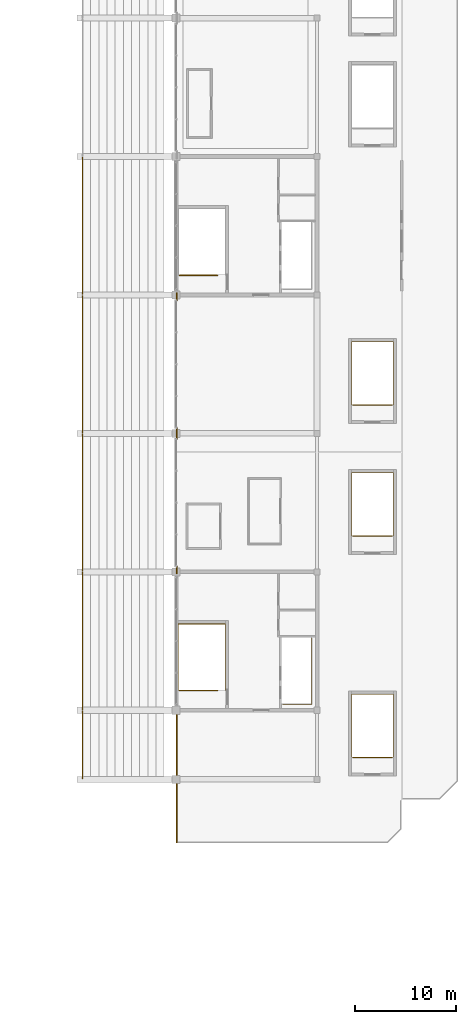
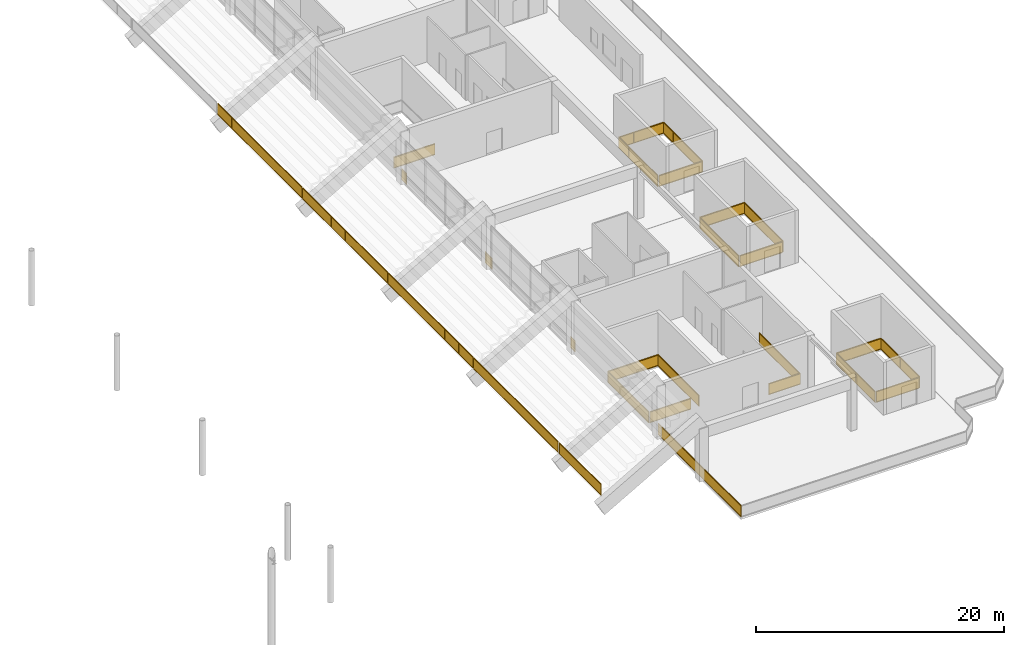
# One storey, part 83 of 90: 19 railings.
"""IFC4 building model written with IfcOpenShell, lengths in metres."""

import ifcopenshell
import ifcopenshell.guid

model = None  # the IFC model being written
_history = None  # IfcOwnerHistory: only IFC2X3 demands one
_inside = {}  # id of a spatial element -> (the spatial element, [elements in it])
_under = {}  # id of a project, library or spatial element -> (it, [spatial elements below it])
_declared = {}  # id of a project -> (the project, [libraries it declares])
_typed = {}  # id of a type object -> (the type object, [elements of that type])
_made_of = {}  # id of a material, layer set ... -> (it, [elements and type objects made of it])


def new_model(schema):
    """Start an empty IFC model of exactly this schema.

    Asked for "IFC4X3", IfcOpenShell would pick the latest addendum, in which some entities
    have other attributes; the version numbers below select the first issue.
    IFC2X3 requires an IfcOwnerHistory on every rooted entity: one is made here for all.
    """
    global model, _history
    if schema == "IFC4X3":
        model = ifcopenshell.file(schema_version=(4, 3, 0, 0))
    else:
        model = ifcopenshell.file(schema=schema)
    _inside.clear()
    _under.clear()
    _declared.clear()
    _typed.clear()
    _made_of.clear()
    _history = None
    if model.schema == "IFC2X3":
        org = make("IfcOrganization", Name="unknown")
        user = make(
            "IfcPersonAndOrganization",
            ThePerson=make("IfcPerson", FamilyName="unknown"),
            TheOrganization=org,
        )
        app = make(
            "IfcApplication",
            ApplicationDeveloper=org,
            Version="unknown",
            ApplicationFullName="unknown",
            ApplicationIdentifier="unknown",
        )
        _history = make(
            "IfcOwnerHistory",
            OwningUser=user,
            OwningApplication=app,
            ChangeAction="ADDED",
            CreationDate=0,
        )
    return model


def make(cls, **values):
    """One entity of the class cls with the attributes given. An attribute that is None is left unset."""
    return model.create_entity(
        cls, **{name: value for name, value in values.items() if value is not None}
    )


def rooted(cls, **values):
    """An entity with a GlobalId (a new one), such as an element, a storey or a relation."""
    return make(cls, GlobalId=ifcopenshell.guid.new(), OwnerHistory=_history, **values)


def si_unit(unit_type, name, prefix=None):
    """IfcSIUnit, for example si_unit("LENGTHUNIT", "METRE", prefix="MILLI")."""
    return make("IfcSIUnit", UnitType=unit_type, Prefix=prefix, Name=name)


def assignment(units):
    """IfcUnitAssignment: the units of a project."""
    return None if units is None else make("IfcUnitAssignment", Units=units)


def point(xyz):
    """IfcCartesianPoint."""
    return None if xyz is None else make("IfcCartesianPoint", Coordinates=xyz)


def direction(xyz):
    """IfcDirection."""
    return None if xyz is None else make("IfcDirection", DirectionRatios=xyz)


def frame(location, z_axis=None, x_axis=None):
    """IfcAxis2Placement3D, a coordinate frame: its origin and axes. An axis left out is left unset."""
    return make(
        "IfcAxis2Placement3D",
        Location=point(location),
        Axis=direction(z_axis),
        RefDirection=direction(x_axis),
    )


def frame_2d(location, x_axis=None):
    """IfcAxis2Placement2D, a coordinate frame in the plane: its origin and x axis."""
    return make(
        "IfcAxis2Placement2D", Location=point(location), RefDirection=direction(x_axis)
    )


def origin():
    """The frame at (0, 0, 0) with its axes left unset."""
    return frame((0.0, 0.0, 0.0))


def origin_2d():
    """The frame at (0, 0) in the plane with its x axis left unset."""
    return frame_2d((0.0, 0.0))


def place(relative_to, where):
    """IfcLocalPlacement: puts the frame where relative to a parent placement (None: the world)."""
    return make(
        "IfcLocalPlacement", PlacementRelTo=relative_to, RelativePlacement=where
    )


def context(
    kind, dimensions, precision=None, world=None, true_north=None, identifier=None
):
    """IfcGeometricRepresentationContext, for example the 3D "Model" context."""
    return make(
        "IfcGeometricRepresentationContext",
        ContextIdentifier=identifier,
        ContextType=kind,
        CoordinateSpaceDimension=dimensions,
        Precision=precision,
        WorldCoordinateSystem=world,
        TrueNorth=true_north,
    )


def subcontext(parent, identifier, kind, view, scale=None):
    """IfcGeometricRepresentationSubContext, for example "Body" below "Model"."""
    return make(
        "IfcGeometricRepresentationSubContext",
        ContextIdentifier=identifier,
        ContextType=kind,
        ParentContext=parent,
        TargetScale=scale,
        TargetView=view,
    )


def project(units=None, contexts=None):
    """IfcProject with its units and contexts."""
    return rooted(
        "IfcProject",
        Name="project",
        RepresentationContexts=contexts,
        UnitsInContext=assignment(units),
    )


def spatial(cls, under=None, at=None, **own):
    """A site, building, storey or space (cls), placed at a placement, below another one or the project."""
    s = rooted(cls, ObjectPlacement=at, **own)
    if under is not None:
        _under.setdefault(under.id(), (under, []))[1].append(s)
    return s


def profile(cls, at=None, kind="AREA", **sizes):
    """A parametric profile (cls). Its sizes go by their IFC names, for example OverallWidth=200.0."""
    return make(cls, ProfileType=kind, Position=at, **sizes)


def rectangle(**sizes):
    """IfcRectangleProfileDef."""
    return profile("IfcRectangleProfileDef", **sizes)


def extrude(swept, where, along, depth):
    """IfcExtrudedAreaSolid: the profile swept, set in the frame where, extruded along a direction by depth."""
    return make(
        "IfcExtrudedAreaSolid",
        SweptArea=swept,
        Position=where,
        ExtrudedDirection=direction(along),
        Depth=depth,
    )


def shape(context_of_items, identifier, shape_type, items):
    """IfcShapeRepresentation: the items that make up one representation, for example the "Body"."""
    return make(
        "IfcShapeRepresentation",
        ContextOfItems=context_of_items,
        RepresentationIdentifier=identifier,
        RepresentationType=shape_type,
        Items=items,
    )


def material(Name=None, Category=None):
    """IfcMaterial."""
    return make("IfcMaterial", Name=Name, Category=Category)


def made_of(thing, what):
    """Note that an element or type object is made of a material, layer set ...; save() writes the relation."""
    if what is not None:
        _made_of.setdefault(what.id(), (what, []))[1].append(thing)
    return thing


def type_object(cls, material=None, **own):
    """A type object (cls), such as IfcWallType, which elements share."""
    return made_of(rooted(cls, **own), material)


def element(
    cls,
    number,
    at=None,
    inside=None,
    cuts=None,
    type_object=None,
    material=None,
    context=None,
    identifier="Body",
    shape_type=None,
    held_by="IfcProductDefinitionShape",
    body=None,
    shapes=None,
    **own,
):
    """One element of the class cls, such as IfcWall. Its Tag is "e" and its number.

    at: its placement. inside: the storey or other place that contains it. cuts: it is an
    opening in that element (IfcRelVoidsElement). A single representation is given by context,
    identifier, shape_type and body (its items); several are given by shapes. held_by: the class
    of the entity that holds the representations. save() writes the other relations.
    """
    e = rooted(cls, Tag="e%d" % number, ObjectPlacement=at, **own)
    if body is not None:
        shapes = [shape(context, identifier, shape_type, body)]
    if shapes is not None:
        e.Representation = make(held_by, Representations=shapes)
    if inside is not None:
        _inside.setdefault(inside.id(), (inside, []))[1].append(e)
    if cuts is not None:
        rooted(
            "IfcRelVoidsElement", RelatingBuildingElement=cuts, RelatedOpeningElement=e
        )
    if type_object is not None:
        _typed.setdefault(type_object.id(), (type_object, []))[1].append(e)
    return made_of(e, material)


def aggregate(whole, parts):
    """IfcRelAggregates: a whole, such as a stair, and the parts it consists of."""
    return rooted("IfcRelAggregates", RelatingObject=whole, RelatedObjects=parts)


def save(model, path):
    """Write the relations noted so far, then the file.

    IfcRelAggregates (storeys below a building ...), IfcRelContainedInSpatialStructure (elements
    in a storey), IfcRelDefinesByType, IfcRelAssociatesMaterial and IfcRelDeclares: one each for
    every whole, place, type object, material and project.
    """
    for whole, parts in _under.values():
        aggregate(whole, parts)
    for where, things in _inside.values():
        rooted(
            "IfcRelContainedInSpatialStructure",
            RelatedElements=things,
            RelatingStructure=where,
        )
    for kind, things in _typed.values():
        rooted("IfcRelDefinesByType", RelatedObjects=things, RelatingType=kind)
    for what, things in _made_of.values():
        rooted("IfcRelAssociatesMaterial", RelatedObjects=things, RelatingMaterial=what)
    for by, libraries in _declared.values():
        rooted("IfcRelDeclares", RelatingContext=by, RelatedDefinitions=libraries)
    model.write(path)


model = new_model("IFC4")

# Units and contexts
model_context = context("Model", 3, precision=1e-05, world=origin(), true_north=direction((0.0, 1.0)))
body_context = subcontext(model_context, "Body", "Model", "MODEL_VIEW")
ifc_project = project(units=[si_unit("LENGTHUNIT", "METRE"), si_unit("AREAUNIT", "SQUARE_METRE"), si_unit("VOLUMEUNIT", "CUBIC_METRE"), si_unit("PLANEANGLEUNIT", "RADIAN"), si_unit("MASSUNIT", "GRAM", prefix="KILO")], contexts=[model_context])

# Site, building, storey
site_placement = place(None, origin())
site = spatial("IfcSite", under=ifc_project, at=site_placement, CompositionType="ELEMENT")
building_placement = place(site_placement, origin())
building = spatial("IfcBuilding", under=site, at=building_placement, Name="Linyun Crest Stadium", CompositionType="ELEMENT")
storey_placement = place(building_placement, frame((0.0, 0.0, 21.0)))
storey = spatial("IfcBuildingStorey", under=building, at=storey_placement, Name="L05", CompositionType="ELEMENT", Elevation=21.0)

# Railings
ifc_material_1 = material(Name="Galvanized and powder-coated steel bowl safety barrier", Category="steel")
railing_type_1 = type_object("IfcRailingType", Name="GR02", PredefinedType="GUARDRAIL", material=ifc_material_1)
railing_1_placement = place(storey_placement, frame((60.699951171875, -45.919921875, 1.550048828125)))
element("IfcRailing", 1, at=railing_1_placement, inside=storey, type_object=railing_type_1, Name="Bowl front safety guard GR02 8", PredefinedType="GUARDRAIL", context=body_context, shape_type="SweptSolid", body=[
    extrude(rectangle(XDim=0.06005859375, YDim=0.06005859375, at=origin_2d()), frame((0.0, 0.0, 1.090087890625), z_axis=(0.0, 1.0, 0.0), x_axis=(-1.0, 0.0, 0.0)), (0.0, 0.0, 1.0), 6.71484375),
    extrude(rectangle(XDim=0.030029296875, YDim=1.0, at=origin_2d()), frame((0.0, 0.0, 0.56005859375), z_axis=(0.0, 1.0, 0.0), x_axis=(-1.0, 0.0, 0.0)), (0.0, 0.0, 1.0), 6.71484375),
    extrude(rectangle(XDim=0.06005859375, YDim=0.06005859375, at=origin_2d()), frame((0.0, 0.0, 0.030029296875), z_axis=(0.0, 1.0, 0.0), x_axis=(-1.0, 0.0, 0.0)), (0.0, 0.0, 1.0), 6.71484375),
    extrude(rectangle(XDim=0.050048828125, YDim=0.050048828125, at=origin_2d()), origin(), (0.0, 0.0, 1.0), 1.1201171875),
    extrude(rectangle(XDim=0.050048828125, YDim=0.050048828125, at=origin_2d()), frame((0.0, 2.23828125, 0.0)), (0.0, 0.0, 1.0), 1.1201171875),
    extrude(rectangle(XDim=0.050048828125, YDim=0.050048828125, at=origin_2d()), frame((0.0, 4.4765625, 0.0)), (0.0, 0.0, 1.0), 1.1201171875),
    extrude(rectangle(XDim=0.050048828125, YDim=0.050048828125, at=origin_2d()), frame((0.0, 6.71484375, 0.0)), (0.0, 0.0, 1.0), 1.1201171875),
])
for number, where, name in (
    (2, (60.699951171875, -39.044921875, 1.550048828125), "Bowl front safety guard GR02 16"),
    (3, (60.699951171875, -25.294921875, 1.550048828125), "Bowl front safety guard GR02 24"),
    (4, (60.699951171875, -11.544921875, 1.550048828125), "Bowl front safety guard GR02 32"),
    (5, (60.699951171875, 2.205078125, 1.550048828125), "Bowl front safety guard GR02 40"),
):
    element("IfcRailing", number, at=place(storey_placement, frame(where)), inside=storey, type_object=railing_type_1, Name=name, PredefinedType="GUARDRAIL", context=body_context, shape_type="SweptSolid", body=[
        extrude(rectangle(XDim=0.06005859375, YDim=0.06005859375, at=origin_2d()), frame((0.0, 0.0, 1.090087890625), z_axis=(0.0, 1.0, 0.0), x_axis=(-1.0, 0.0, 0.0)), (0.0, 0.0, 1.0), 13.58984375),
        extrude(rectangle(XDim=0.030029296875, YDim=1.0, at=origin_2d()), frame((0.0, 0.0, 0.56005859375), z_axis=(0.0, 1.0, 0.0), x_axis=(-1.0, 0.0, 0.0)), (0.0, 0.0, 1.0), 13.58984375),
        extrude(rectangle(XDim=0.06005859375, YDim=0.06005859375, at=origin_2d()), frame((0.0, 0.0, 0.030029296875), z_axis=(0.0, 1.0, 0.0), x_axis=(-1.0, 0.0, 0.0)), (0.0, 0.0, 1.0), 13.58984375),
        extrude(rectangle(XDim=0.050048828125, YDim=0.050048828125, at=origin_2d()), origin(), (0.0, 0.0, 1.0), 1.1201171875),
        extrude(rectangle(XDim=0.050048828125, YDim=0.050048828125, at=origin_2d()), frame((0.0, 2.264892578125, 0.0)), (0.0, 0.0, 1.0), 1.1201171875),
        extrude(rectangle(XDim=0.050048828125, YDim=0.050048828125, at=origin_2d()), frame((0.0, 4.530029296875, 0.0)), (0.0, 0.0, 1.0), 1.1201171875),
        extrude(rectangle(XDim=0.050048828125, YDim=0.050048828125, at=origin_2d()), frame((0.0, 6.794921875, 0.0)), (0.0, 0.0, 1.0), 1.1201171875),
        extrude(rectangle(XDim=0.050048828125, YDim=0.050048828125, at=origin_2d()), frame((0.0, 9.059814453125, 0.0)), (0.0, 0.0, 1.0), 1.1201171875),
        extrude(rectangle(XDim=0.050048828125, YDim=0.050048828125, at=origin_2d()), frame((0.0, 11.324951171875, 0.0)), (0.0, 0.0, 1.0), 1.1201171875),
        extrude(rectangle(XDim=0.050048828125, YDim=0.050048828125, at=origin_2d()), frame((0.0, 13.58984375, 0.0)), (0.0, 0.0, 1.0), 1.1201171875),
    ])
railing_2_placement = place(storey_placement, frame((70.06005859375, -52.27490234375, 0.0)))
element("IfcRailing", 6, at=railing_2_placement, inside=storey, type_object=railing_type_1, Name="Slab edge balustrade GR02 169", PredefinedType="GUARDRAIL", context=body_context, shape_type="SweptSolid", body=[
    extrude(rectangle(XDim=0.06005859375, YDim=0.06005859375, at=origin_2d()), frame((0.0, 0.0, 1.090087890625), z_axis=(0.0, 1.0, 0.0), x_axis=(-1.0, 0.0, 0.0)), (0.0, 0.0, 1.0), 13.324951171875),
    extrude(rectangle(XDim=0.030029296875, YDim=1.0, at=origin_2d()), frame((0.0, 0.0, 0.56005859375), z_axis=(0.0, 1.0, 0.0), x_axis=(-1.0, 0.0, 0.0)), (0.0, 0.0, 1.0), 13.324951171875),
    extrude(rectangle(XDim=0.06005859375, YDim=0.06005859375, at=origin_2d()), frame((0.0, 0.0, 0.030029296875), z_axis=(0.0, 1.0, 0.0), x_axis=(-1.0, 0.0, 0.0)), (0.0, 0.0, 1.0), 13.324951171875),
    extrude(rectangle(XDim=0.050048828125, YDim=0.050048828125, at=origin_2d()), origin(), (0.0, 0.0, 1.0), 1.1201171875),
    extrude(rectangle(XDim=0.050048828125, YDim=0.050048828125, at=origin_2d()), frame((0.0, 4.441650390625, 0.0)), (0.0, 0.0, 1.0), 1.1201171875),
    extrude(rectangle(XDim=0.050048828125, YDim=0.050048828125, at=origin_2d()), frame((0.0, 8.88330078125, 0.0)), (0.0, 0.0, 1.0), 1.1201171875),
    extrude(rectangle(XDim=0.050048828125, YDim=0.050048828125, at=origin_2d()), frame((0.0, 13.324951171875, 0.0)), (0.0, 0.0, 1.0), 1.1201171875),
])
railing_3_placement = place(storey_placement, frame((70.06005859375, -25.550048828125, 0.0)))
element("IfcRailing", 7, at=railing_3_placement, inside=storey, type_object=railing_type_1, Name="Slab edge balustrade GR02 170", PredefinedType="GUARDRAIL", context=body_context, shape_type="SweptSolid", body=[
    extrude(rectangle(XDim=0.06005859375, YDim=0.06005859375, at=origin_2d()), frame((0.0, 0.0, 1.090087890625), z_axis=(0.0, 1.0, 0.0), x_axis=(-1.0, 0.0, 0.0)), (0.0, 0.0, 1.0), 0.72509765625),
    extrude(rectangle(XDim=0.030029296875, YDim=1.0, at=origin_2d()), frame((0.0, 0.0, 0.56005859375), z_axis=(0.0, 1.0, 0.0), x_axis=(-1.0, 0.0, 0.0)), (0.0, 0.0, 1.0), 0.72509765625),
    extrude(rectangle(XDim=0.06005859375, YDim=0.06005859375, at=origin_2d()), frame((0.0, 0.0, 0.030029296875), z_axis=(0.0, 1.0, 0.0), x_axis=(-1.0, 0.0, 0.0)), (0.0, 0.0, 1.0), 0.72509765625),
    extrude(rectangle(XDim=0.050048828125, YDim=0.050048828125, at=origin_2d()), origin(), (0.0, 0.0, 1.0), 1.1201171875),
    extrude(rectangle(XDim=0.050048828125, YDim=0.050048828125, at=origin_2d()), frame((0.0, 0.72509765625, 0.0)), (0.0, 0.0, 1.0), 1.1201171875),
])
for number, where, name in (
    (8, (87.5400390625, -43.81005859375, 0.0), "Slab edge balustrade GR02 172"),
    (9, (87.5400390625, -21.81005859375, 0.0), "Slab edge balustrade GR02 173"),
):
    element("IfcRailing", number, at=place(storey_placement, frame(where)), inside=storey, type_object=railing_type_1, Name=name, PredefinedType="GUARDRAIL", context=body_context, shape_type="SweptSolid", body=[
        extrude(rectangle(XDim=0.06005859375, YDim=0.06005859375, at=origin_2d()), frame((0.0, 0.0, 1.090087890625), z_axis=(1.0, 0.0, 0.0), x_axis=(0.0, 1.0, 0.0)), (0.0, 0.0, 1.0), 3.919921875),
        extrude(rectangle(XDim=0.030029296875, YDim=1.0, at=origin_2d()), frame((0.0, 0.0, 0.56005859375), z_axis=(1.0, 0.0, 0.0), x_axis=(0.0, 1.0, 0.0)), (0.0, 0.0, 1.0), 3.919921875),
        extrude(rectangle(XDim=0.06005859375, YDim=0.06005859375, at=origin_2d()), frame((0.0, 0.0, 0.030029296875), z_axis=(1.0, 0.0, 0.0), x_axis=(0.0, 1.0, 0.0)), (0.0, 0.0, 1.0), 3.919921875),
        extrude(rectangle(XDim=0.050048828125, YDim=0.050048828125, at=origin_2d()), origin(), (0.0, 0.0, 1.0), 1.1201171875),
        extrude(rectangle(XDim=0.050048828125, YDim=0.050048828125, at=origin_2d()), frame((3.919921875, 0.0, 0.0)), (0.0, 0.0, 1.0), 1.1201171875),
    ])
railing_4_placement = place(storey_placement, frame((80.580078125, -38.534912109375, 0.0)))
element("IfcRailing", 10, at=railing_4_placement, inside=storey, type_object=railing_type_1, Name="Slab edge balustrade GR02 174", PredefinedType="GUARDRAIL", context=body_context, shape_type="SweptSolid", body=[
    extrude(rectangle(XDim=0.06005859375, YDim=0.06005859375, at=origin_2d()), frame((0.0, 0.0, 1.090087890625), z_axis=(1.0, 0.0, 0.0), x_axis=(0.0, 1.0, 0.0)), (0.0, 0.0, 1.0), 2.8798828125),
    extrude(rectangle(XDim=0.030029296875, YDim=1.0, at=origin_2d()), frame((0.0, 0.0, 0.56005859375), z_axis=(1.0, 0.0, 0.0), x_axis=(0.0, 1.0, 0.0)), (0.0, 0.0, 1.0), 2.8798828125),
    extrude(rectangle(XDim=0.06005859375, YDim=0.06005859375, at=origin_2d()), frame((0.0, 0.0, 0.030029296875), z_axis=(1.0, 0.0, 0.0), x_axis=(0.0, 1.0, 0.0)), (0.0, 0.0, 1.0), 2.8798828125),
    extrude(rectangle(XDim=0.06005859375, YDim=0.06005859375, at=origin_2d()), frame((2.8798828125, 0.0, 1.090087890625), z_axis=(0.0, 1.0, 0.0), x_axis=(-1.0, 0.0, 0.0)), (0.0, 0.0, 1.0), 6.5498046875),
    extrude(rectangle(XDim=0.030029296875, YDim=1.0, at=origin_2d()), frame((2.8798828125, 0.0, 0.56005859375), z_axis=(0.0, 1.0, 0.0), x_axis=(-1.0, 0.0, 0.0)), (0.0, 0.0, 1.0), 6.5498046875),
    extrude(rectangle(XDim=0.06005859375, YDim=0.06005859375, at=origin_2d()), frame((2.8798828125, 0.0, 0.030029296875), z_axis=(0.0, 1.0, 0.0), x_axis=(-1.0, 0.0, 0.0)), (0.0, 0.0, 1.0), 6.5498046875),
    extrude(rectangle(XDim=0.050048828125, YDim=0.050048828125, at=origin_2d()), origin(), (0.0, 0.0, 1.0), 1.1201171875),
    extrude(rectangle(XDim=0.050048828125, YDim=0.050048828125, at=origin_2d()), frame((2.8798828125, 0.0, 0.0)), (0.0, 0.0, 1.0), 1.1201171875),
    extrude(rectangle(XDim=0.050048828125, YDim=0.050048828125, at=origin_2d()), frame((2.8798828125, 3.27490234375, 0.0)), (0.0, 0.0, 1.0), 1.1201171875),
    extrude(rectangle(XDim=0.050048828125, YDim=0.050048828125, at=origin_2d()), frame((2.8798828125, 6.5498046875, 0.0)), (0.0, 0.0, 1.0), 1.1201171875),
])
railing_5_placement = place(storey_placement, frame((70.31494140625, -37.1650390625, 0.0)))
element("IfcRailing", 11, at=railing_5_placement, inside=storey, type_object=railing_type_1, Name="Slab edge balustrade GR02 175", PredefinedType="GUARDRAIL", context=body_context, shape_type="SweptSolid", body=[
    extrude(rectangle(XDim=0.06005859375, YDim=0.06005859375, at=origin_2d()), frame((0.0, 0.0, 1.090087890625), z_axis=(1.0, 0.0, 0.0), x_axis=(0.0, 1.0, 0.0)), (0.0, 0.0, 1.0), 3.78515625),
    extrude(rectangle(XDim=0.030029296875, YDim=1.0, at=origin_2d()), frame((0.0, 0.0, 0.56005859375), z_axis=(1.0, 0.0, 0.0), x_axis=(0.0, 1.0, 0.0)), (0.0, 0.0, 1.0), 3.78515625),
    extrude(rectangle(XDim=0.06005859375, YDim=0.06005859375, at=origin_2d()), frame((0.0, 0.0, 0.030029296875), z_axis=(1.0, 0.0, 0.0), x_axis=(0.0, 1.0, 0.0)), (0.0, 0.0, 1.0), 3.78515625),
    extrude(rectangle(XDim=0.050048828125, YDim=0.050048828125, at=origin_2d()), origin(), (0.0, 0.0, 1.0), 1.1201171875),
    extrude(rectangle(XDim=0.050048828125, YDim=0.050048828125, at=origin_2d()), frame((3.78515625, 0.0, 0.0)), (0.0, 0.0, 1.0), 1.1201171875),
])
railing_6_placement = place(storey_placement, frame((70.06005859375, -12.175048828125, 0.0)))
element("IfcRailing", 12, at=railing_6_placement, inside=storey, type_object=railing_type_1, Name="Slab edge balustrade GR02 176", PredefinedType="GUARDRAIL", context=body_context, shape_type="SweptSolid", body=[
    extrude(rectangle(XDim=0.06005859375, YDim=0.06005859375, at=origin_2d()), frame((0.0, 0.0, 1.090087890625), z_axis=(0.0, 1.0, 0.0), x_axis=(-1.0, 0.0, 0.0)), (0.0, 0.0, 1.0), 1.10009765625),
    extrude(rectangle(XDim=0.030029296875, YDim=1.0, at=origin_2d()), frame((0.0, 0.0, 0.56005859375), z_axis=(0.0, 1.0, 0.0), x_axis=(-1.0, 0.0, 0.0)), (0.0, 0.0, 1.0), 1.10009765625),
    extrude(rectangle(XDim=0.06005859375, YDim=0.06005859375, at=origin_2d()), frame((0.0, 0.0, 0.030029296875), z_axis=(0.0, 1.0, 0.0), x_axis=(-1.0, 0.0, 0.0)), (0.0, 0.0, 1.0), 1.10009765625),
    extrude(rectangle(XDim=0.050048828125, YDim=0.050048828125, at=origin_2d()), origin(), (0.0, 0.0, 1.0), 1.1201171875),
    extrude(rectangle(XDim=0.050048828125, YDim=0.050048828125, at=origin_2d()), frame((0.0, 1.10009765625, 0.0)), (0.0, 0.0, 1.0), 1.1201171875),
])
railing_7_placement = place(storey_placement, frame((70.06005859375, 1.574951171875, 0.0)))
element("IfcRailing", 13, at=railing_7_placement, inside=storey, type_object=railing_type_1, Name="Slab edge balustrade GR02 177", PredefinedType="GUARDRAIL", context=body_context, shape_type="SweptSolid", body=[
    extrude(rectangle(XDim=0.06005859375, YDim=0.06005859375, at=origin_2d()), frame((0.0, 0.0, 1.090087890625), z_axis=(0.0, 1.0, 0.0), x_axis=(-1.0, 0.0, 0.0)), (0.0, 0.0, 1.0), 0.75),
    extrude(rectangle(XDim=0.030029296875, YDim=1.0, at=origin_2d()), frame((0.0, 0.0, 0.56005859375), z_axis=(0.0, 1.0, 0.0), x_axis=(-1.0, 0.0, 0.0)), (0.0, 0.0, 1.0), 0.75),
    extrude(rectangle(XDim=0.06005859375, YDim=0.06005859375, at=origin_2d()), frame((0.0, 0.0, 0.030029296875), z_axis=(0.0, 1.0, 0.0), x_axis=(-1.0, 0.0, 0.0)), (0.0, 0.0, 1.0), 0.75),
    extrude(rectangle(XDim=0.050048828125, YDim=0.050048828125, at=origin_2d()), origin(), (0.0, 0.0, 1.0), 1.1201171875),
    extrude(rectangle(XDim=0.050048828125, YDim=0.050048828125, at=origin_2d()), frame((0.0, 0.75, 0.0)), (0.0, 0.0, 1.0), 1.1201171875),
])
railing_8_placement = place(storey_placement, frame((87.5400390625, -8.81005859375, 0.0)))
element("IfcRailing", 14, at=railing_8_placement, inside=storey, type_object=railing_type_1, Name="Slab edge balustrade GR02 181", PredefinedType="GUARDRAIL", context=body_context, shape_type="SweptSolid", body=[
    extrude(rectangle(XDim=0.06005859375, YDim=0.06005859375, at=origin_2d()), frame((0.0, 0.0, 1.090087890625), z_axis=(1.0, 0.0, 0.0), x_axis=(0.0, 1.0, 0.0)), (0.0, 0.0, 1.0), 3.919921875),
    extrude(rectangle(XDim=0.030029296875, YDim=1.0, at=origin_2d()), frame((0.0, 0.0, 0.56005859375), z_axis=(1.0, 0.0, 0.0), x_axis=(0.0, 1.0, 0.0)), (0.0, 0.0, 1.0), 3.919921875),
    extrude(rectangle(XDim=0.06005859375, YDim=0.06005859375, at=origin_2d()), frame((0.0, 0.0, 0.030029296875), z_axis=(1.0, 0.0, 0.0), x_axis=(0.0, 1.0, 0.0)), (0.0, 0.0, 1.0), 3.919921875),
    extrude(rectangle(XDim=0.050048828125, YDim=0.050048828125, at=origin_2d()), origin(), (0.0, 0.0, 1.0), 1.1201171875),
    extrude(rectangle(XDim=0.050048828125, YDim=0.050048828125, at=origin_2d()), frame((3.919921875, 0.0, 0.0)), (0.0, 0.0, 1.0), 1.1201171875),
])
railing_9_placement = place(storey_placement, frame((70.340087890625, 4.0849609375, 0.0)))
element("IfcRailing", 15, at=railing_9_placement, inside=storey, type_object=railing_type_1, Name="Slab edge balustrade GR02 186", PredefinedType="GUARDRAIL", context=body_context, shape_type="SweptSolid", body=[
    extrude(rectangle(XDim=0.06005859375, YDim=0.06005859375, at=origin_2d()), frame((0.0, 0.0, 1.090087890625), z_axis=(1.0, 0.0, 0.0), x_axis=(0.0, 1.0, 0.0)), (0.0, 0.0, 1.0), 3.760009765625),
    extrude(rectangle(XDim=0.030029296875, YDim=1.0, at=origin_2d()), frame((0.0, 0.0, 0.56005859375), z_axis=(1.0, 0.0, 0.0), x_axis=(0.0, 1.0, 0.0)), (0.0, 0.0, 1.0), 3.760009765625),
    extrude(rectangle(XDim=0.06005859375, YDim=0.06005859375, at=origin_2d()), frame((0.0, 0.0, 0.030029296875), z_axis=(1.0, 0.0, 0.0), x_axis=(0.0, 1.0, 0.0)), (0.0, 0.0, 1.0), 3.760009765625),
    extrude(rectangle(XDim=0.050048828125, YDim=0.050048828125, at=origin_2d()), origin(), (0.0, 0.0, 1.0), 1.1201171875),
    extrude(rectangle(XDim=0.050048828125, YDim=0.050048828125, at=origin_2d()), frame((3.760009765625, 0.0, 0.0)), (0.0, 0.0, 1.0), 1.1201171875),
])
ifc_material_2 = material(Name="Painted steel stairwell safety guard", Category="steel")
railing_type_2 = type_object("IfcRailingType", Name="GR03", PredefinedType="GUARDRAIL", material=ifc_material_2)
railing_10_placement = place(storey_placement, frame((70.205078125, -37.125, 0.0)))
element("IfcRailing", 16, at=railing_10_placement, inside=storey, type_object=railing_type_2, Name="STR-04-L04 top well guard", PredefinedType="GUARDRAIL", context=body_context, shape_type="SweptSolid", body=[
    extrude(rectangle(XDim=0.06005859375, YDim=0.06005859375, at=origin_2d()), frame((0.0, 0.0, 1.090087890625), z_axis=(0.0, 1.0, 0.0), x_axis=(-1.0, 0.0, 0.0)), (0.0, 0.0, 1.0), 6.570068359375),
    extrude(rectangle(XDim=0.030029296875, YDim=1.0, at=origin_2d()), frame((0.0, 0.0, 0.56005859375), z_axis=(0.0, 1.0, 0.0), x_axis=(-1.0, 0.0, 0.0)), (0.0, 0.0, 1.0), 6.570068359375),
    extrude(rectangle(XDim=0.06005859375, YDim=0.06005859375, at=origin_2d()), frame((0.0, 0.0, 0.030029296875), z_axis=(0.0, 1.0, 0.0), x_axis=(-1.0, 0.0, 0.0)), (0.0, 0.0, 1.0), 6.570068359375),
    extrude(rectangle(XDim=0.06005859375, YDim=0.06005859375, at=origin_2d()), frame((0.0, 6.570068359375, 1.090087890625), z_axis=(1.0, 0.0, 0.0), x_axis=(0.0, 1.0, 0.0)), (0.0, 0.0, 1.0), 4.6650390625),
    extrude(rectangle(XDim=0.030029296875, YDim=1.0, at=origin_2d()), frame((0.0, 6.570068359375, 0.56005859375), z_axis=(1.0, 0.0, 0.0), x_axis=(0.0, 1.0, 0.0)), (0.0, 0.0, 1.0), 4.6650390625),
    extrude(rectangle(XDim=0.06005859375, YDim=0.06005859375, at=origin_2d()), frame((0.0, 6.570068359375, 0.030029296875), z_axis=(1.0, 0.0, 0.0), x_axis=(0.0, 1.0, 0.0)), (0.0, 0.0, 1.0), 4.6650390625),
    extrude(rectangle(XDim=0.06005859375, YDim=0.06005859375, at=origin_2d()), frame((4.6650390625, 6.570068359375, 1.090087890625), z_axis=(0.0, -1.0, 0.0), x_axis=(1.0, 0.0, 0.0)), (0.0, 0.0, 1.0), 6.570068359375),
    extrude(rectangle(XDim=0.030029296875, YDim=1.0, at=origin_2d()), frame((4.6650390625, 6.570068359375, 0.56005859375), z_axis=(0.0, -1.0, 0.0), x_axis=(1.0, 0.0, 0.0)), (0.0, 0.0, 1.0), 6.570068359375),
    extrude(rectangle(XDim=0.06005859375, YDim=0.06005859375, at=origin_2d()), frame((4.6650390625, 6.570068359375, 0.030029296875), z_axis=(0.0, -1.0, 0.0), x_axis=(1.0, 0.0, 0.0)), (0.0, 0.0, 1.0), 6.570068359375),
    extrude(rectangle(XDim=0.050048828125, YDim=0.050048828125, at=origin_2d()), origin(), (0.0, 0.0, 1.0), 1.1201171875),
    extrude(rectangle(XDim=0.050048828125, YDim=0.050048828125, at=origin_2d()), frame((0.0, 1.642578125, 0.0)), (0.0, 0.0, 1.0), 1.1201171875),
    extrude(rectangle(XDim=0.050048828125, YDim=0.050048828125, at=origin_2d()), frame((0.0, 3.28515625, 0.0)), (0.0, 0.0, 1.0), 1.1201171875),
    extrude(rectangle(XDim=0.050048828125, YDim=0.050048828125, at=origin_2d()), frame((0.0, 4.927490234375, 0.0)), (0.0, 0.0, 1.0), 1.1201171875),
    extrude(rectangle(XDim=0.050048828125, YDim=0.050048828125, at=origin_2d()), frame((0.0, 6.570068359375, 0.0)), (0.0, 0.0, 1.0), 1.1201171875),
    extrude(rectangle(XDim=0.050048828125, YDim=0.050048828125, at=origin_2d()), frame((1.554931640625, 6.570068359375, 0.0)), (0.0, 0.0, 1.0), 1.1201171875),
    extrude(rectangle(XDim=0.050048828125, YDim=0.050048828125, at=origin_2d()), frame((3.110107421875, 6.570068359375, 0.0)), (0.0, 0.0, 1.0), 1.1201171875),
    extrude(rectangle(XDim=0.050048828125, YDim=0.050048828125, at=origin_2d()), frame((4.6650390625, 6.570068359375, 0.0)), (0.0, 0.0, 1.0), 1.1201171875),
    extrude(rectangle(XDim=0.050048828125, YDim=0.050048828125, at=origin_2d()), frame((4.6650390625, 4.927490234375, 0.0)), (0.0, 0.0, 1.0), 1.1201171875),
    extrude(rectangle(XDim=0.050048828125, YDim=0.050048828125, at=origin_2d()), frame((4.6650390625, 3.28515625, 0.0)), (0.0, 0.0, 1.0), 1.1201171875),
    extrude(rectangle(XDim=0.050048828125, YDim=0.050048828125, at=origin_2d()), frame((4.6650390625, 1.642578125, 0.0)), (0.0, 0.0, 1.0), 1.1201171875),
    extrude(rectangle(XDim=0.050048828125, YDim=0.050048828125, at=origin_2d()), frame((4.6650390625, 0.0, 0.0)), (0.0, 0.0, 1.0), 1.1201171875),
])
railing_11_placement = place(storey_placement, frame((87.429931640625, -43.77001953125, 0.0)))
element("IfcRailing", 17, at=railing_11_placement, inside=storey, type_object=railing_type_2, Name="STR-18-L04 top well guard", PredefinedType="GUARDRAIL", context=body_context, shape_type="SweptSolid", body=[
    extrude(rectangle(XDim=0.06005859375, YDim=0.06005859375, at=origin_2d()), frame((0.0, 0.0, 1.090087890625), z_axis=(0.0, 1.0, 0.0), x_axis=(-1.0, 0.0, 0.0)), (0.0, 0.0, 1.0), 6.239990234375),
    extrude(rectangle(XDim=0.030029296875, YDim=1.0, at=origin_2d()), frame((0.0, 0.0, 0.56005859375), z_axis=(0.0, 1.0, 0.0), x_axis=(-1.0, 0.0, 0.0)), (0.0, 0.0, 1.0), 6.239990234375),
    extrude(rectangle(XDim=0.06005859375, YDim=0.06005859375, at=origin_2d()), frame((0.0, 0.0, 0.030029296875), z_axis=(0.0, 1.0, 0.0), x_axis=(-1.0, 0.0, 0.0)), (0.0, 0.0, 1.0), 6.239990234375),
    extrude(rectangle(XDim=0.06005859375, YDim=0.06005859375, at=origin_2d()), frame((0.0, 6.239990234375, 1.090087890625), z_axis=(1.0, 0.0, 0.0), x_axis=(0.0, 1.0, 0.0)), (0.0, 0.0, 1.0), 4.14013671875),
    extrude(rectangle(XDim=0.030029296875, YDim=1.0, at=origin_2d()), frame((0.0, 6.239990234375, 0.56005859375), z_axis=(1.0, 0.0, 0.0), x_axis=(0.0, 1.0, 0.0)), (0.0, 0.0, 1.0), 4.14013671875),
    extrude(rectangle(XDim=0.06005859375, YDim=0.06005859375, at=origin_2d()), frame((0.0, 6.239990234375, 0.030029296875), z_axis=(1.0, 0.0, 0.0), x_axis=(0.0, 1.0, 0.0)), (0.0, 0.0, 1.0), 4.14013671875),
    extrude(rectangle(XDim=0.06005859375, YDim=0.06005859375, at=origin_2d()), frame((4.14013671875, 6.239990234375, 1.090087890625), z_axis=(0.0, -1.0, 0.0), x_axis=(1.0, 0.0, 0.0)), (0.0, 0.0, 1.0), 6.239990234375),
    extrude(rectangle(XDim=0.030029296875, YDim=1.0, at=origin_2d()), frame((4.14013671875, 6.239990234375, 0.56005859375), z_axis=(0.0, -1.0, 0.0), x_axis=(1.0, 0.0, 0.0)), (0.0, 0.0, 1.0), 6.239990234375),
    extrude(rectangle(XDim=0.06005859375, YDim=0.06005859375, at=origin_2d()), frame((4.14013671875, 6.239990234375, 0.030029296875), z_axis=(0.0, -1.0, 0.0), x_axis=(1.0, 0.0, 0.0)), (0.0, 0.0, 1.0), 6.239990234375),
    extrude(rectangle(XDim=0.050048828125, YDim=0.050048828125, at=origin_2d()), origin(), (0.0, 0.0, 1.0), 1.1201171875),
    extrude(rectangle(XDim=0.050048828125, YDim=0.050048828125, at=origin_2d()), frame((0.0, 1.56005859375, 0.0)), (0.0, 0.0, 1.0), 1.1201171875),
    extrude(rectangle(XDim=0.050048828125, YDim=0.050048828125, at=origin_2d()), frame((0.0, 3.1201171875, 0.0)), (0.0, 0.0, 1.0), 1.1201171875),
    extrude(rectangle(XDim=0.050048828125, YDim=0.050048828125, at=origin_2d()), frame((0.0, 4.679931640625, 0.0)), (0.0, 0.0, 1.0), 1.1201171875),
    extrude(rectangle(XDim=0.050048828125, YDim=0.050048828125, at=origin_2d()), frame((0.0, 6.239990234375, 0.0)), (0.0, 0.0, 1.0), 1.1201171875),
    extrude(rectangle(XDim=0.050048828125, YDim=0.050048828125, at=origin_2d()), frame((1.380126953125, 6.239990234375, 0.0)), (0.0, 0.0, 1.0), 1.1201171875),
    extrude(rectangle(XDim=0.050048828125, YDim=0.050048828125, at=origin_2d()), frame((2.760009765625, 6.239990234375, 0.0)), (0.0, 0.0, 1.0), 1.1201171875),
    extrude(rectangle(XDim=0.050048828125, YDim=0.050048828125, at=origin_2d()), frame((4.14013671875, 6.239990234375, 0.0)), (0.0, 0.0, 1.0), 1.1201171875),
    extrude(rectangle(XDim=0.050048828125, YDim=0.050048828125, at=origin_2d()), frame((4.14013671875, 4.679931640625, 0.0)), (0.0, 0.0, 1.0), 1.1201171875),
    extrude(rectangle(XDim=0.050048828125, YDim=0.050048828125, at=origin_2d()), frame((4.14013671875, 3.1201171875, 0.0)), (0.0, 0.0, 1.0), 1.1201171875),
    extrude(rectangle(XDim=0.050048828125, YDim=0.050048828125, at=origin_2d()), frame((4.14013671875, 1.56005859375, 0.0)), (0.0, 0.0, 1.0), 1.1201171875),
    extrude(rectangle(XDim=0.050048828125, YDim=0.050048828125, at=origin_2d()), frame((4.14013671875, 0.0, 0.0)), (0.0, 0.0, 1.0), 1.1201171875),
])
railing_12_placement = place(storey_placement, frame((87.429931640625, -21.77001953125, 0.0)))
element("IfcRailing", 18, at=railing_12_placement, inside=storey, type_object=railing_type_2, Name="STR-19-L04 top well guard", PredefinedType="GUARDRAIL", context=body_context, shape_type="SweptSolid", body=[
    extrude(rectangle(XDim=0.06005859375, YDim=0.06005859375, at=origin_2d()), frame((0.0, 0.0, 1.090087890625), z_axis=(0.0, 1.0, 0.0), x_axis=(-1.0, 0.0, 0.0)), (0.0, 0.0, 1.0), 6.239990234375),
    extrude(rectangle(XDim=0.030029296875, YDim=1.0, at=origin_2d()), frame((0.0, 0.0, 0.56005859375), z_axis=(0.0, 1.0, 0.0), x_axis=(-1.0, 0.0, 0.0)), (0.0, 0.0, 1.0), 6.239990234375),
    extrude(rectangle(XDim=0.06005859375, YDim=0.06005859375, at=origin_2d()), frame((0.0, 0.0, 0.030029296875), z_axis=(0.0, 1.0, 0.0), x_axis=(-1.0, 0.0, 0.0)), (0.0, 0.0, 1.0), 6.239990234375),
    extrude(rectangle(XDim=0.06005859375, YDim=0.06005859375, at=origin_2d()), frame((0.0, 6.239990234375, 1.090087890625), z_axis=(1.0, 0.0, 0.0), x_axis=(0.0, 1.0, 0.0)), (0.0, 0.0, 1.0), 4.14013671875),
    extrude(rectangle(XDim=0.030029296875, YDim=1.0, at=origin_2d()), frame((0.0, 6.239990234375, 0.56005859375), z_axis=(1.0, 0.0, 0.0), x_axis=(0.0, 1.0, 0.0)), (0.0, 0.0, 1.0), 4.14013671875),
    extrude(rectangle(XDim=0.06005859375, YDim=0.06005859375, at=origin_2d()), frame((0.0, 6.239990234375, 0.030029296875), z_axis=(1.0, 0.0, 0.0), x_axis=(0.0, 1.0, 0.0)), (0.0, 0.0, 1.0), 4.14013671875),
    extrude(rectangle(XDim=0.06005859375, YDim=0.06005859375, at=origin_2d()), frame((4.14013671875, 6.239990234375, 1.090087890625), z_axis=(0.0, -1.0, 0.0), x_axis=(1.0, 0.0, 0.0)), (0.0, 0.0, 1.0), 6.239990234375),
    extrude(rectangle(XDim=0.030029296875, YDim=1.0, at=origin_2d()), frame((4.14013671875, 6.239990234375, 0.56005859375), z_axis=(0.0, -1.0, 0.0), x_axis=(1.0, 0.0, 0.0)), (0.0, 0.0, 1.0), 6.239990234375),
    extrude(rectangle(XDim=0.06005859375, YDim=0.06005859375, at=origin_2d()), frame((4.14013671875, 6.239990234375, 0.030029296875), z_axis=(0.0, -1.0, 0.0), x_axis=(1.0, 0.0, 0.0)), (0.0, 0.0, 1.0), 6.239990234375),
    extrude(rectangle(XDim=0.050048828125, YDim=0.050048828125, at=origin_2d()), origin(), (0.0, 0.0, 1.0), 1.1201171875),
    extrude(rectangle(XDim=0.050048828125, YDim=0.050048828125, at=origin_2d()), frame((0.0, 1.56005859375, 0.0)), (0.0, 0.0, 1.0), 1.1201171875),
    extrude(rectangle(XDim=0.050048828125, YDim=0.050048828125, at=origin_2d()), frame((0.0, 3.1201171875, 0.0)), (0.0, 0.0, 1.0), 1.1201171875),
    extrude(rectangle(XDim=0.050048828125, YDim=0.050048828125, at=origin_2d()), frame((0.0, 4.679931640625, 0.0)), (0.0, 0.0, 1.0), 1.1201171875),
    extrude(rectangle(XDim=0.050048828125, YDim=0.050048828125, at=origin_2d()), frame((0.0, 6.239990234375, 0.0)), (0.0, 0.0, 1.0), 1.1201171875),
    extrude(rectangle(XDim=0.050048828125, YDim=0.050048828125, at=origin_2d()), frame((1.380126953125, 6.239990234375, 0.0)), (0.0, 0.0, 1.0), 1.1201171875),
    extrude(rectangle(XDim=0.050048828125, YDim=0.050048828125, at=origin_2d()), frame((2.760009765625, 6.239990234375, 0.0)), (0.0, 0.0, 1.0), 1.1201171875),
    extrude(rectangle(XDim=0.050048828125, YDim=0.050048828125, at=origin_2d()), frame((4.14013671875, 6.239990234375, 0.0)), (0.0, 0.0, 1.0), 1.1201171875),
    extrude(rectangle(XDim=0.050048828125, YDim=0.050048828125, at=origin_2d()), frame((4.14013671875, 4.679931640625, 0.0)), (0.0, 0.0, 1.0), 1.1201171875),
    extrude(rectangle(XDim=0.050048828125, YDim=0.050048828125, at=origin_2d()), frame((4.14013671875, 3.1201171875, 0.0)), (0.0, 0.0, 1.0), 1.1201171875),
    extrude(rectangle(XDim=0.050048828125, YDim=0.050048828125, at=origin_2d()), frame((4.14013671875, 1.56005859375, 0.0)), (0.0, 0.0, 1.0), 1.1201171875),
    extrude(rectangle(XDim=0.050048828125, YDim=0.050048828125, at=origin_2d()), frame((4.14013671875, 0.0, 0.0)), (0.0, 0.0, 1.0), 1.1201171875),
])
railing_13_placement = place(storey_placement, frame((87.429931640625, -8.77001953125, 0.0)))
element("IfcRailing", 19, at=railing_13_placement, inside=storey, type_object=railing_type_2, Name="STR-20-L04 top well guard", PredefinedType="GUARDRAIL", context=body_context, shape_type="SweptSolid", body=[
    extrude(rectangle(XDim=0.06005859375, YDim=0.06005859375, at=origin_2d()), frame((0.0, 0.0, 1.090087890625), z_axis=(0.0, 1.0, 0.0), x_axis=(-1.0, 0.0, 0.0)), (0.0, 0.0, 1.0), 6.239990234375),
    extrude(rectangle(XDim=0.030029296875, YDim=1.0, at=origin_2d()), frame((0.0, 0.0, 0.56005859375), z_axis=(0.0, 1.0, 0.0), x_axis=(-1.0, 0.0, 0.0)), (0.0, 0.0, 1.0), 6.239990234375),
    extrude(rectangle(XDim=0.06005859375, YDim=0.06005859375, at=origin_2d()), frame((0.0, 0.0, 0.030029296875), z_axis=(0.0, 1.0, 0.0), x_axis=(-1.0, 0.0, 0.0)), (0.0, 0.0, 1.0), 6.239990234375),
    extrude(rectangle(XDim=0.06005859375, YDim=0.06005859375, at=origin_2d()), frame((0.0, 6.239990234375, 1.090087890625), z_axis=(1.0, 0.0, 0.0), x_axis=(0.0, 1.0, 0.0)), (0.0, 0.0, 1.0), 4.14013671875),
    extrude(rectangle(XDim=0.030029296875, YDim=1.0, at=origin_2d()), frame((0.0, 6.239990234375, 0.56005859375), z_axis=(1.0, 0.0, 0.0), x_axis=(0.0, 1.0, 0.0)), (0.0, 0.0, 1.0), 4.14013671875),
    extrude(rectangle(XDim=0.06005859375, YDim=0.06005859375, at=origin_2d()), frame((0.0, 6.239990234375, 0.030029296875), z_axis=(1.0, 0.0, 0.0), x_axis=(0.0, 1.0, 0.0)), (0.0, 0.0, 1.0), 4.14013671875),
    extrude(rectangle(XDim=0.06005859375, YDim=0.06005859375, at=origin_2d()), frame((4.14013671875, 6.239990234375, 1.090087890625), z_axis=(0.0, -1.0, 0.0), x_axis=(1.0, 0.0, 0.0)), (0.0, 0.0, 1.0), 6.239990234375),
    extrude(rectangle(XDim=0.030029296875, YDim=1.0, at=origin_2d()), frame((4.14013671875, 6.239990234375, 0.56005859375), z_axis=(0.0, -1.0, 0.0), x_axis=(1.0, 0.0, 0.0)), (0.0, 0.0, 1.0), 6.239990234375),
    extrude(rectangle(XDim=0.06005859375, YDim=0.06005859375, at=origin_2d()), frame((4.14013671875, 6.239990234375, 0.030029296875), z_axis=(0.0, -1.0, 0.0), x_axis=(1.0, 0.0, 0.0)), (0.0, 0.0, 1.0), 6.239990234375),
    extrude(rectangle(XDim=0.050048828125, YDim=0.050048828125, at=origin_2d()), origin(), (0.0, 0.0, 1.0), 1.1201171875),
    extrude(rectangle(XDim=0.050048828125, YDim=0.050048828125, at=origin_2d()), frame((0.0, 1.56005859375, 0.0)), (0.0, 0.0, 1.0), 1.1201171875),
    extrude(rectangle(XDim=0.050048828125, YDim=0.050048828125, at=origin_2d()), frame((0.0, 3.1201171875, 0.0)), (0.0, 0.0, 1.0), 1.1201171875),
    extrude(rectangle(XDim=0.050048828125, YDim=0.050048828125, at=origin_2d()), frame((0.0, 4.679931640625, 0.0)), (0.0, 0.0, 1.0), 1.1201171875),
    extrude(rectangle(XDim=0.050048828125, YDim=0.050048828125, at=origin_2d()), frame((0.0, 6.239990234375, 0.0)), (0.0, 0.0, 1.0), 1.1201171875),
    extrude(rectangle(XDim=0.050048828125, YDim=0.050048828125, at=origin_2d()), frame((1.380126953125, 6.239990234375, 0.0)), (0.0, 0.0, 1.0), 1.1201171875),
    extrude(rectangle(XDim=0.050048828125, YDim=0.050048828125, at=origin_2d()), frame((2.760009765625, 6.239990234375, 0.0)), (0.0, 0.0, 1.0), 1.1201171875),
    extrude(rectangle(XDim=0.050048828125, YDim=0.050048828125, at=origin_2d()), frame((4.14013671875, 6.239990234375, 0.0)), (0.0, 0.0, 1.0), 1.1201171875),
    extrude(rectangle(XDim=0.050048828125, YDim=0.050048828125, at=origin_2d()), frame((4.14013671875, 4.679931640625, 0.0)), (0.0, 0.0, 1.0), 1.1201171875),
    extrude(rectangle(XDim=0.050048828125, YDim=0.050048828125, at=origin_2d()), frame((4.14013671875, 3.1201171875, 0.0)), (0.0, 0.0, 1.0), 1.1201171875),
    extrude(rectangle(XDim=0.050048828125, YDim=0.050048828125, at=origin_2d()), frame((4.14013671875, 1.56005859375, 0.0)), (0.0, 0.0, 1.0), 1.1201171875),
    extrude(rectangle(XDim=0.050048828125, YDim=0.050048828125, at=origin_2d()), frame((4.14013671875, 0.0, 0.0)), (0.0, 0.0, 1.0), 1.1201171875),
])

save(model, "model.ifc")
